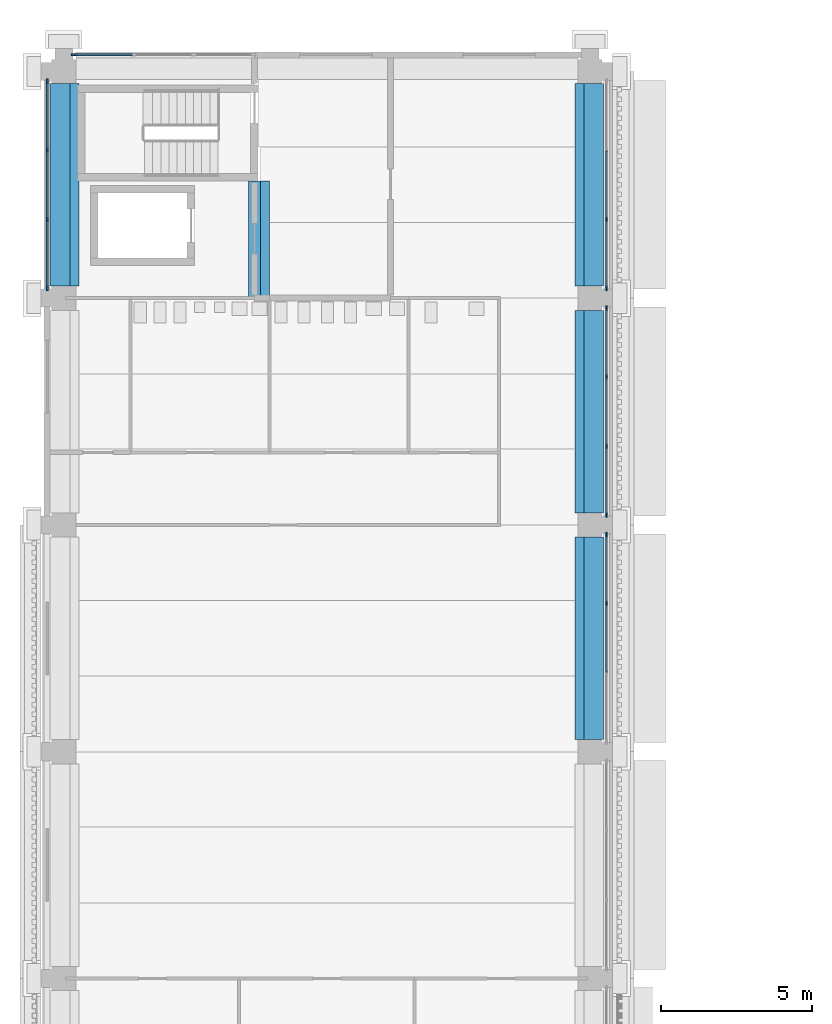
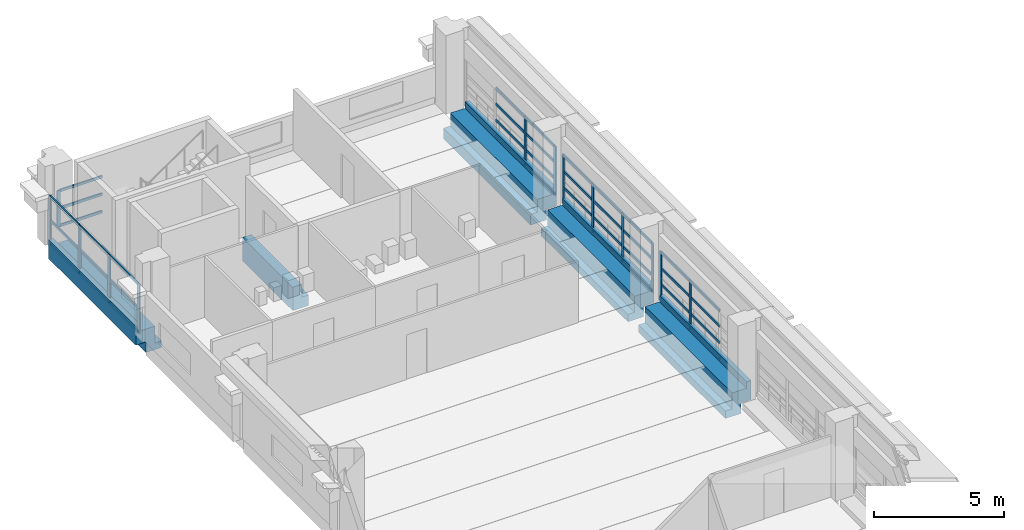
# One storey, part 12 of 71: 53 members, 5 beams, 5 elements without a shape of their own.
"""IFC4 building model written with IfcOpenShell, lengths in metres."""

import ifcopenshell
import ifcopenshell.guid

model = None  # the IFC model being written
_history = None  # IfcOwnerHistory: only IFC2X3 demands one
_inside = {}  # id of a spatial element -> (the spatial element, [elements in it])
_under = {}  # id of a project, library or spatial element -> (it, [spatial elements below it])
_declared = {}  # id of a project -> (the project, [libraries it declares])
_typed = {}  # id of a type object -> (the type object, [elements of that type])
_made_of = {}  # id of a material, layer set ... -> (it, [elements and type objects made of it])


def new_model(schema):
    """Start an empty IFC model of exactly this schema.

    Asked for "IFC4X3", IfcOpenShell would pick the latest addendum, in which some entities
    have other attributes; the version numbers below select the first issue.
    IFC2X3 requires an IfcOwnerHistory on every rooted entity: one is made here for all.
    """
    global model, _history
    if schema == "IFC4X3":
        model = ifcopenshell.file(schema_version=(4, 3, 0, 0))
    else:
        model = ifcopenshell.file(schema=schema)
    _inside.clear()
    _under.clear()
    _declared.clear()
    _typed.clear()
    _made_of.clear()
    _history = None
    if model.schema == "IFC2X3":
        org = make("IfcOrganization", Name="unknown")
        user = make(
            "IfcPersonAndOrganization",
            ThePerson=make("IfcPerson", FamilyName="unknown"),
            TheOrganization=org,
        )
        app = make(
            "IfcApplication",
            ApplicationDeveloper=org,
            Version="unknown",
            ApplicationFullName="unknown",
            ApplicationIdentifier="unknown",
        )
        _history = make(
            "IfcOwnerHistory",
            OwningUser=user,
            OwningApplication=app,
            ChangeAction="ADDED",
            CreationDate=0,
        )
    return model


def make(cls, **values):
    """One entity of the class cls with the attributes given. An attribute that is None is left unset."""
    return model.create_entity(
        cls, **{name: value for name, value in values.items() if value is not None}
    )


def rooted(cls, **values):
    """An entity with a GlobalId (a new one), such as an element, a storey or a relation."""
    return make(cls, GlobalId=ifcopenshell.guid.new(), OwnerHistory=_history, **values)


def si_unit(unit_type, name, prefix=None):
    """IfcSIUnit, for example si_unit("LENGTHUNIT", "METRE", prefix="MILLI")."""
    return make("IfcSIUnit", UnitType=unit_type, Prefix=prefix, Name=name)


def assignment(units):
    """IfcUnitAssignment: the units of a project."""
    return None if units is None else make("IfcUnitAssignment", Units=units)


def point(xyz):
    """IfcCartesianPoint."""
    return None if xyz is None else make("IfcCartesianPoint", Coordinates=xyz)


def direction(xyz):
    """IfcDirection."""
    return None if xyz is None else make("IfcDirection", DirectionRatios=xyz)


def frame(location, z_axis=None, x_axis=None):
    """IfcAxis2Placement3D, a coordinate frame: its origin and axes. An axis left out is left unset."""
    return make(
        "IfcAxis2Placement3D",
        Location=point(location),
        Axis=direction(z_axis),
        RefDirection=direction(x_axis),
    )


def frame_2d(location, x_axis=None):
    """IfcAxis2Placement2D, a coordinate frame in the plane: its origin and x axis."""
    return make(
        "IfcAxis2Placement2D", Location=point(location), RefDirection=direction(x_axis)
    )


def origin():
    """The frame at (0, 0, 0) with its axes left unset."""
    return frame((0.0, 0.0, 0.0))


def origin_2d():
    """The frame at (0, 0) in the plane with its x axis left unset."""
    return frame_2d((0.0, 0.0))


def place(relative_to, where):
    """IfcLocalPlacement: puts the frame where relative to a parent placement (None: the world)."""
    return make(
        "IfcLocalPlacement", PlacementRelTo=relative_to, RelativePlacement=where
    )


def context(
    kind, dimensions, precision=None, world=None, true_north=None, identifier=None
):
    """IfcGeometricRepresentationContext, for example the 3D "Model" context."""
    return make(
        "IfcGeometricRepresentationContext",
        ContextIdentifier=identifier,
        ContextType=kind,
        CoordinateSpaceDimension=dimensions,
        Precision=precision,
        WorldCoordinateSystem=world,
        TrueNorth=true_north,
    )


def subcontext(parent, identifier, kind, view, scale=None):
    """IfcGeometricRepresentationSubContext, for example "Body" below "Model"."""
    return make(
        "IfcGeometricRepresentationSubContext",
        ContextIdentifier=identifier,
        ContextType=kind,
        ParentContext=parent,
        TargetScale=scale,
        TargetView=view,
    )


def project(units=None, contexts=None):
    """IfcProject with its units and contexts."""
    return rooted(
        "IfcProject",
        Name="project",
        RepresentationContexts=contexts,
        UnitsInContext=assignment(units),
    )


def spatial(cls, under=None, at=None, **own):
    """A site, building, storey or space (cls), placed at a placement, below another one or the project."""
    s = rooted(cls, ObjectPlacement=at, **own)
    if under is not None:
        _under.setdefault(under.id(), (under, []))[1].append(s)
    return s


def polyline(points):
    """IfcPolyline through the points."""
    return make("IfcPolyline", Points=[point(p) for p in points])


def profile(cls, at=None, kind="AREA", **sizes):
    """A parametric profile (cls). Its sizes go by their IFC names, for example OverallWidth=200.0."""
    return make(cls, ProfileType=kind, Position=at, **sizes)


def rectangle(**sizes):
    """IfcRectangleProfileDef."""
    return profile("IfcRectangleProfileDef", **sizes)


def outline(outer, holes=None, kind="AREA"):
    """IfcArbitraryClosedProfileDef: a profile drawn as a closed curve; with holes, ...WithVoids."""
    if holes is None:
        return make("IfcArbitraryClosedProfileDef", ProfileType=kind, OuterCurve=outer)
    return make(
        "IfcArbitraryProfileDefWithVoids",
        ProfileType=kind,
        OuterCurve=outer,
        InnerCurves=holes,
    )


def extrude(swept, where, along, depth):
    """IfcExtrudedAreaSolid: the profile swept, set in the frame where, extruded along a direction by depth."""
    return make(
        "IfcExtrudedAreaSolid",
        SweptArea=swept,
        Position=where,
        ExtrudedDirection=direction(along),
        Depth=depth,
    )


def shape(context_of_items, identifier, shape_type, items):
    """IfcShapeRepresentation: the items that make up one representation, for example the "Body"."""
    return make(
        "IfcShapeRepresentation",
        ContextOfItems=context_of_items,
        RepresentationIdentifier=identifier,
        RepresentationType=shape_type,
        Items=items,
    )


def material(Name=None, Category=None):
    """IfcMaterial."""
    return make("IfcMaterial", Name=Name, Category=Category)


def layer(
    of_material, thickness, ventilated=None, Name=None, Category=None, Priority=None
):
    """IfcMaterialLayer: one layer of a wall or slab, of a material (None: an air gap)."""
    return make(
        "IfcMaterialLayer",
        Material=of_material,
        LayerThickness=thickness,
        IsVentilated=ventilated,
        Name=Name,
        Category=Category,
        Priority=Priority,
    )


def layer_set(layers, Name=None):
    """IfcMaterialLayerSet."""
    return make("IfcMaterialLayerSet", MaterialLayers=layers, LayerSetName=Name)


def material_profile(
    of_material, cross_section, Name=None, Category=None, Priority=None
):
    """IfcMaterialProfile: a cross section and its material."""
    return make(
        "IfcMaterialProfile",
        Name=Name,
        Material=of_material,
        Profile=cross_section,
        Priority=Priority,
        Category=Category,
    )


def profile_set(profiles, Name=None, composite=None):
    """IfcMaterialProfileSet."""
    return make(
        "IfcMaterialProfileSet",
        Name=Name,
        MaterialProfiles=profiles,
        CompositeProfile=composite,
    )


def made_of(thing, what):
    """Note that an element or type object is made of a material, layer set ...; save() writes the relation."""
    if what is not None:
        _made_of.setdefault(what.id(), (what, []))[1].append(thing)
    return thing


def type_object(cls, material=None, **own):
    """A type object (cls), such as IfcWallType, which elements share."""
    return made_of(rooted(cls, **own), material)


def element(
    cls,
    number,
    at=None,
    inside=None,
    cuts=None,
    type_object=None,
    material=None,
    context=None,
    identifier="Body",
    shape_type=None,
    held_by="IfcProductDefinitionShape",
    body=None,
    shapes=None,
    **own,
):
    """One element of the class cls, such as IfcWall. Its Tag is "e" and its number.

    at: its placement. inside: the storey or other place that contains it. cuts: it is an
    opening in that element (IfcRelVoidsElement). A single representation is given by context,
    identifier, shape_type and body (its items); several are given by shapes. held_by: the class
    of the entity that holds the representations. save() writes the other relations.
    """
    e = rooted(cls, Tag="e%d" % number, ObjectPlacement=at, **own)
    if body is not None:
        shapes = [shape(context, identifier, shape_type, body)]
    if shapes is not None:
        e.Representation = make(held_by, Representations=shapes)
    if inside is not None:
        _inside.setdefault(inside.id(), (inside, []))[1].append(e)
    if cuts is not None:
        rooted(
            "IfcRelVoidsElement", RelatingBuildingElement=cuts, RelatedOpeningElement=e
        )
    if type_object is not None:
        _typed.setdefault(type_object.id(), (type_object, []))[1].append(e)
    return made_of(e, material)


def aggregate(whole, parts):
    """IfcRelAggregates: a whole, such as a stair, and the parts it consists of."""
    return rooted("IfcRelAggregates", RelatingObject=whole, RelatedObjects=parts)


def save(model, path):
    """Write the relations noted so far, then the file.

    IfcRelAggregates (storeys below a building ...), IfcRelContainedInSpatialStructure (elements
    in a storey), IfcRelDefinesByType, IfcRelAssociatesMaterial and IfcRelDeclares: one each for
    every whole, place, type object, material and project.
    """
    for whole, parts in _under.values():
        aggregate(whole, parts)
    for where, things in _inside.values():
        rooted(
            "IfcRelContainedInSpatialStructure",
            RelatedElements=things,
            RelatingStructure=where,
        )
    for kind, things in _typed.values():
        rooted("IfcRelDefinesByType", RelatedObjects=things, RelatingType=kind)
    for what, things in _made_of.values():
        rooted("IfcRelAssociatesMaterial", RelatedObjects=things, RelatingMaterial=what)
    for by, libraries in _declared.values():
        rooted("IfcRelDeclares", RelatingContext=by, RelatedDefinitions=libraries)
    model.write(path)


model = new_model("IFC4")

# Units and contexts
model_context = context("Model", 3, precision=1e-05, world=origin(), true_north=direction((0.0, 1.0)))
body_context = subcontext(model_context, "Body", "Model", "MODEL_VIEW")
ifc_project = project(units=[si_unit("LENGTHUNIT", "METRE"), si_unit("AREAUNIT", "SQUARE_METRE"), si_unit("VOLUMEUNIT", "CUBIC_METRE"), si_unit("PLANEANGLEUNIT", "RADIAN"), si_unit("MASSUNIT", "GRAM", prefix="KILO")], contexts=[model_context])

# Site, building, storey
site_placement = place(None, origin())
site = spatial("IfcSite", under=ifc_project, at=site_placement, CompositionType="ELEMENT")
building_placement = place(site_placement, origin())
building = spatial("IfcBuilding", under=site, at=building_placement, Name="Cour d'Honneur Mobility Palace", CompositionType="ELEMENT")
storey_placement = place(building_placement, frame((0.0, 0.0, 15.60009765625)))
storey = spatial("IfcBuildingStorey", under=building, at=storey_placement, Name="L04", CompositionType="ELEMENT", Elevation=15.60009765625)

# Curtain wall, members
ifc_material_1 = material(Name="Aluminium and glass", Category="aluminium")
ifc_layer = layer(ifc_material_1, 0.10009765625)
ifc_layer_set = layer_set([ifc_layer], Name="Aluminium and glass")
curtain_wall_type = type_object("IfcCurtainWallType", Name="Curtain wall run", PredefinedType="NOTDEFINED", material=ifc_layer_set)
curtain_wall_1_placement = place(storey_placement, origin())
curtain_wall_1 = element("IfcCurtainWall", 1, at=curtain_wall_1_placement, inside=storey, type_object=curtain_wall_type, Name="Curtain wall CW-41", PredefinedType="NOTDEFINED")
ifc_material_2 = material(Name="Aluminium", Category="aluminium")
ifc_material_profile_1 = material_profile(ifc_material_2, rectangle(XDim=0.06005859375, YDim=0.159912109375, at=origin_2d()), Name="Curtain wall mullion")
ifc_profile_set_1 = profile_set([ifc_material_profile_1], Name="Aluminium")
member_type_1 = type_object("IfcMemberType", Name="Curtain wall mullion", PredefinedType="MULLION", material=ifc_profile_set_1)
member_1_placement = place(storey_placement, frame((17.949951171875, 97.300048828125, 0.0), z_axis=(0.0, 0.0, 1.0), x_axis=(-1.0, 0.0, 0.0)))
member_1 = element("IfcMember", 2, at=member_1_placement, type_object=member_type_1, Name="CW-41 mullion 3", PredefinedType="MULLION", context=body_context, shape_type="SweptSolid", body=[
    extrude(rectangle(XDim=0.06005859375, YDim=0.159912109375, at=origin_2d()), origin(), (0.0, 0.0, 1.0), 2.2998046875),
])
member_2_placement = place(storey_placement, frame((17.949951171875, 99.570068359375, 0.0), z_axis=(0.0, 0.0, 1.0), x_axis=(-1.0, 0.0, 0.0)))
member_2 = element("IfcMember", 3, at=member_2_placement, type_object=member_type_1, Name="CW-41 mullion 4", PredefinedType="MULLION", context=body_context, shape_type="SweptSolid", body=[
    extrude(rectangle(XDim=0.06005859375, YDim=0.159912109375, at=origin_2d()), origin(), (0.0, 0.0, 1.0), 2.2998046875),
])

curtain_wall_2_placement = place(storey_placement, origin())
curtain_wall_2 = element("IfcCurtainWall", 4, at=curtain_wall_2_placement, inside=storey, type_object=curtain_wall_type, Name="Curtain wall CW-42", PredefinedType="NOTDEFINED")
member_3_placement = place(storey_placement, frame((17.949951171875, 100.22998046875, 0.0), z_axis=(0.0, 0.0, 1.0), x_axis=(-1.0, 0.0, 0.0)))
member_3 = element("IfcMember", 5, at=member_3_placement, type_object=member_type_1, Name="CW-42 mullion 1", PredefinedType="MULLION", context=body_context, shape_type="SweptSolid", body=[
    extrude(rectangle(XDim=0.06005859375, YDim=0.159912109375, at=origin_2d()), origin(), (0.0, 0.0, 1.0), 2.2998046875),
])
member_4_placement = place(storey_placement, frame((17.949951171875, 102.5, 0.0), z_axis=(0.0, 0.0, 1.0), x_axis=(-1.0, 0.0, 0.0)))
member_4 = element("IfcMember", 6, at=member_4_placement, type_object=member_type_1, Name="CW-42 mullion 2", PredefinedType="MULLION", context=body_context, shape_type="SweptSolid", body=[
    extrude(rectangle(XDim=0.06005859375, YDim=0.159912109375, at=origin_2d()), origin(), (0.0, 0.0, 1.0), 2.2998046875),
])
member_5_placement = place(storey_placement, frame((17.949951171875, 104.800048828125, 0.0), z_axis=(0.0, 0.0, 1.0), x_axis=(-1.0, 0.0, 0.0)))
member_5 = element("IfcMember", 7, at=member_5_placement, type_object=member_type_1, Name="CW-42 mullion 3", PredefinedType="MULLION", context=body_context, shape_type="SweptSolid", body=[
    extrude(rectangle(XDim=0.06005859375, YDim=0.159912109375, at=origin_2d()), origin(), (0.0, 0.0, 1.0), 2.2998046875),
])
member_6_placement = place(storey_placement, frame((17.949951171875, 107.070068359375, 0.0), z_axis=(0.0, 0.0, 1.0), x_axis=(-1.0, 0.0, 0.0)))
member_6 = element("IfcMember", 8, at=member_6_placement, type_object=member_type_1, Name="CW-42 mullion 4", PredefinedType="MULLION", context=body_context, shape_type="SweptSolid", body=[
    extrude(rectangle(XDim=0.06005859375, YDim=0.159912109375, at=origin_2d()), origin(), (0.0, 0.0, 1.0), 2.2998046875),
])

curtain_wall_3_placement = place(storey_placement, origin())
curtain_wall_3 = element("IfcCurtainWall", 9, at=curtain_wall_3_placement, inside=storey, type_object=curtain_wall_type, Name="Curtain wall CW-43", PredefinedType="NOTDEFINED")
member_7_placement = place(storey_placement, frame((17.949951171875, 107.72998046875, 0.0), z_axis=(0.0, 0.0, 1.0), x_axis=(-1.0, 0.0, 0.0)))
member_7 = element("IfcMember", 10, at=member_7_placement, type_object=member_type_1, Name="CW-43 mullion 1", PredefinedType="MULLION", context=body_context, shape_type="SweptSolid", body=[
    extrude(rectangle(XDim=0.06005859375, YDim=0.159912109375, at=origin_2d()), origin(), (0.0, 0.0, 1.0), 2.2998046875),
])
member_8_placement = place(storey_placement, frame((17.949951171875, 110.0, 0.0), z_axis=(0.0, 0.0, 1.0), x_axis=(-1.0, 0.0, 0.0)))
member_8 = element("IfcMember", 11, at=member_8_placement, type_object=member_type_1, Name="CW-43 mullion 2", PredefinedType="MULLION", context=body_context, shape_type="SweptSolid", body=[
    extrude(rectangle(XDim=0.06005859375, YDim=0.159912109375, at=origin_2d()), origin(), (0.0, 0.0, 1.0), 2.2998046875),
])

# Curtain wall, member
curtain_wall_4_placement = place(storey_placement, origin())
curtain_wall_4 = element("IfcCurtainWall", 12, at=curtain_wall_4_placement, inside=storey, type_object=curtain_wall_type, Name="Curtain wall CW-130", PredefinedType="NOTDEFINED")
member_9_placement = place(storey_placement, frame((0.330078125, 115.449951171875, 0.0), z_axis=(0.0, 0.0, 1.0), x_axis=(0.0, -1.0, 0.0)))
member_9 = element("IfcMember", 13, at=member_9_placement, type_object=member_type_1, Name="CW-130 mullion 4", PredefinedType="MULLION", context=body_context, shape_type="SweptSolid", body=[
    extrude(rectangle(XDim=0.06005859375, YDim=0.159912109375, at=origin_2d()), origin(), (0.0, 0.0, 1.0), 1.699951171875),
])

# Curtain wall, members
curtain_wall_5_placement = place(storey_placement, origin())
curtain_wall_5 = element("IfcCurtainWall", 14, at=curtain_wall_5_placement, inside=storey, type_object=curtain_wall_type, Name="Curtain wall CW-131", PredefinedType="NOTDEFINED")
member_10_placement = place(storey_placement, frame((-0.550048828125, 114.570068359375, 0.0), z_axis=(0.0, 0.0, 1.0), x_axis=(1.0, 0.0, 0.0)))
member_10 = element("IfcMember", 15, at=member_10_placement, type_object=member_type_1, Name="CW-131 mullion 1", PredefinedType="MULLION", context=body_context, shape_type="SweptSolid", body=[
    extrude(rectangle(XDim=0.06005859375, YDim=0.159912109375, at=origin_2d()), origin(), (0.0, 0.0, 1.0), 2.2998046875),
])
member_11_placement = place(storey_placement, frame((-0.550048828125, 112.300048828125, 0.0), z_axis=(0.0, 0.0, 1.0), x_axis=(1.0, 0.0, 0.0)))
member_11 = element("IfcMember", 16, at=member_11_placement, type_object=member_type_1, Name="CW-131 mullion 2", PredefinedType="MULLION", context=body_context, shape_type="SweptSolid", body=[
    extrude(rectangle(XDim=0.06005859375, YDim=0.159912109375, at=origin_2d()), origin(), (0.0, 0.0, 1.0), 2.2998046875),
])
member_12_placement = place(storey_placement, frame((-0.550048828125, 110.0, 0.0), z_axis=(0.0, 0.0, 1.0), x_axis=(1.0, 0.0, 0.0)))
member_12 = element("IfcMember", 17, at=member_12_placement, type_object=member_type_1, Name="CW-131 mullion 3", PredefinedType="MULLION", context=body_context, shape_type="SweptSolid", body=[
    extrude(rectangle(XDim=0.06005859375, YDim=0.159912109375, at=origin_2d()), origin(), (0.0, 0.0, 1.0), 2.2998046875),
])
member_13_placement = place(storey_placement, frame((-0.550048828125, 107.72998046875, 0.0), z_axis=(0.0, 0.0, 1.0), x_axis=(1.0, 0.0, 0.0)))
member_13 = element("IfcMember", 18, at=member_13_placement, type_object=member_type_1, Name="CW-131 mullion 4", PredefinedType="MULLION", context=body_context, shape_type="SweptSolid", body=[
    extrude(rectangle(XDim=0.06005859375, YDim=0.159912109375, at=origin_2d()), origin(), (0.0, 0.0, 1.0), 2.2998046875),
])

# Member
ifc_material_3 = material(Name="Aluminium", Category="aluminium")
ifc_material_profile_2 = material_profile(ifc_material_3, rectangle(XDim=0.06005859375, YDim=0.1201171875, at=origin_2d()), Name="Curtain wall transom")
ifc_profile_set_2 = profile_set([ifc_material_profile_2], Name="Aluminium")
member_type_2 = type_object("IfcMemberType", Name="Curtain wall transom", PredefinedType="USERDEFINED", material=ifc_profile_set_2)
member_14_placement = place(storey_placement, frame((17.949951171875, 95.030029296875, 0.02978515625), z_axis=(0.0, 1.0, 0.0), x_axis=(-1.0, 0.0, 0.0)))
member_14 = element("IfcMember", 19, at=member_14_placement, type_object=member_type_2, Name="CW-41 transom 2.1", ObjectType="TRANSOM", PredefinedType="USERDEFINED", context=body_context, shape_type="SweptSolid", body=[
    extrude(rectangle(XDim=0.06005859375, YDim=0.1201171875, at=origin_2d()), origin(), (0.0, 0.0, 1.0), 2.239990234375),
])

member_15_placement = place(storey_placement, frame((17.949951171875, 95.030029296875, 0.7666015625), z_axis=(0.0, 1.0, 0.0), x_axis=(-1.0, 0.0, 0.0)))
member_15 = element("IfcMember", 20, at=member_15_placement, type_object=member_type_2, Name="CW-41 transom 2.2", ObjectType="TRANSOM", PredefinedType="USERDEFINED", context=body_context, shape_type="SweptSolid", body=[
    extrude(rectangle(XDim=0.06005859375, YDim=0.1201171875, at=origin_2d()), origin(), (0.0, 0.0, 1.0), 2.239990234375),
])

member_16_placement = place(storey_placement, frame((17.949951171875, 95.030029296875, 1.533203125), z_axis=(0.0, 1.0, 0.0), x_axis=(-1.0, 0.0, 0.0)))
member_16 = element("IfcMember", 21, at=member_16_placement, type_object=member_type_2, Name="CW-41 transom 2.3", ObjectType="TRANSOM", PredefinedType="USERDEFINED", context=body_context, shape_type="SweptSolid", body=[
    extrude(rectangle(XDim=0.06005859375, YDim=0.1201171875, at=origin_2d()), origin(), (0.0, 0.0, 1.0), 2.239990234375),
])

member_17_placement = place(storey_placement, frame((17.949951171875, 95.030029296875, 2.27001953125), z_axis=(0.0, 1.0, 0.0), x_axis=(-1.0, 0.0, 0.0)))
member_17 = element("IfcMember", 22, at=member_17_placement, type_object=member_type_2, Name="CW-41 transom 2.4", ObjectType="TRANSOM", PredefinedType="USERDEFINED", context=body_context, shape_type="SweptSolid", body=[
    extrude(rectangle(XDim=0.06005859375, YDim=0.1201171875, at=origin_2d()), origin(), (0.0, 0.0, 1.0), 2.239990234375),
])

member_18_placement = place(storey_placement, frame((17.949951171875, 97.330078125, 0.02978515625), z_axis=(0.0, 1.0, 0.0), x_axis=(-1.0, 0.0, 0.0)))
member_18 = element("IfcMember", 23, at=member_18_placement, type_object=member_type_2, Name="CW-41 transom 3.1", ObjectType="TRANSOM", PredefinedType="USERDEFINED", context=body_context, shape_type="SweptSolid", body=[
    extrude(rectangle(XDim=0.06005859375, YDim=0.1201171875, at=origin_2d()), origin(), (0.0, 0.0, 1.0), 2.2099609375),
])

member_19_placement = place(storey_placement, frame((17.949951171875, 97.330078125, 0.7666015625), z_axis=(0.0, 1.0, 0.0), x_axis=(-1.0, 0.0, 0.0)))
member_19 = element("IfcMember", 24, at=member_19_placement, type_object=member_type_2, Name="CW-41 transom 3.2", ObjectType="TRANSOM", PredefinedType="USERDEFINED", context=body_context, shape_type="SweptSolid", body=[
    extrude(rectangle(XDim=0.06005859375, YDim=0.1201171875, at=origin_2d()), origin(), (0.0, 0.0, 1.0), 2.2099609375),
])

member_20_placement = place(storey_placement, frame((17.949951171875, 97.330078125, 1.533203125), z_axis=(0.0, 1.0, 0.0), x_axis=(-1.0, 0.0, 0.0)))
member_20 = element("IfcMember", 25, at=member_20_placement, type_object=member_type_2, Name="CW-41 transom 3.3", ObjectType="TRANSOM", PredefinedType="USERDEFINED", context=body_context, shape_type="SweptSolid", body=[
    extrude(rectangle(XDim=0.06005859375, YDim=0.1201171875, at=origin_2d()), origin(), (0.0, 0.0, 1.0), 2.2099609375),
])

member_21_placement = place(storey_placement, frame((17.949951171875, 97.330078125, 2.27001953125), z_axis=(0.0, 1.0, 0.0), x_axis=(-1.0, 0.0, 0.0)))
member_21 = element("IfcMember", 26, at=member_21_placement, type_object=member_type_2, Name="CW-41 transom 3.4", ObjectType="TRANSOM", PredefinedType="USERDEFINED", context=body_context, shape_type="SweptSolid", body=[
    extrude(rectangle(XDim=0.06005859375, YDim=0.1201171875, at=origin_2d()), origin(), (0.0, 0.0, 1.0), 2.2099609375),
])

aggregate(curtain_wall_1, [member_1, member_2, member_14, member_15, member_16, member_17, member_18, member_19, member_20, member_21])

member_22_placement = place(storey_placement, frame((17.949951171875, 100.260009765625, 0.02978515625), z_axis=(0.0, 1.0, 0.0), x_axis=(-1.0, 0.0, 0.0)))
member_22 = element("IfcMember", 27, at=member_22_placement, type_object=member_type_2, Name="CW-42 transom 1.1", ObjectType="TRANSOM", PredefinedType="USERDEFINED", context=body_context, shape_type="SweptSolid", body=[
    extrude(rectangle(XDim=0.06005859375, YDim=0.1201171875, at=origin_2d()), origin(), (0.0, 0.0, 1.0), 2.2099609375),
])

member_23_placement = place(storey_placement, frame((17.949951171875, 100.260009765625, 0.7666015625), z_axis=(0.0, 1.0, 0.0), x_axis=(-1.0, 0.0, 0.0)))
member_23 = element("IfcMember", 28, at=member_23_placement, type_object=member_type_2, Name="CW-42 transom 1.2", ObjectType="TRANSOM", PredefinedType="USERDEFINED", context=body_context, shape_type="SweptSolid", body=[
    extrude(rectangle(XDim=0.06005859375, YDim=0.1201171875, at=origin_2d()), origin(), (0.0, 0.0, 1.0), 2.2099609375),
])

member_24_placement = place(storey_placement, frame((17.949951171875, 100.260009765625, 1.533203125), z_axis=(0.0, 1.0, 0.0), x_axis=(-1.0, 0.0, 0.0)))
member_24 = element("IfcMember", 29, at=member_24_placement, type_object=member_type_2, Name="CW-42 transom 1.3", ObjectType="TRANSOM", PredefinedType="USERDEFINED", context=body_context, shape_type="SweptSolid", body=[
    extrude(rectangle(XDim=0.06005859375, YDim=0.1201171875, at=origin_2d()), origin(), (0.0, 0.0, 1.0), 2.2099609375),
])

member_25_placement = place(storey_placement, frame((17.949951171875, 100.260009765625, 2.27001953125), z_axis=(0.0, 1.0, 0.0), x_axis=(-1.0, 0.0, 0.0)))
member_25 = element("IfcMember", 30, at=member_25_placement, type_object=member_type_2, Name="CW-42 transom 1.4", ObjectType="TRANSOM", PredefinedType="USERDEFINED", context=body_context, shape_type="SweptSolid", body=[
    extrude(rectangle(XDim=0.06005859375, YDim=0.1201171875, at=origin_2d()), origin(), (0.0, 0.0, 1.0), 2.2099609375),
])

member_26_placement = place(storey_placement, frame((17.949951171875, 102.530029296875, 0.02978515625), z_axis=(0.0, 1.0, 0.0), x_axis=(-1.0, 0.0, 0.0)))
member_26 = element("IfcMember", 31, at=member_26_placement, type_object=member_type_2, Name="CW-42 transom 2.1", ObjectType="TRANSOM", PredefinedType="USERDEFINED", context=body_context, shape_type="SweptSolid", body=[
    extrude(rectangle(XDim=0.06005859375, YDim=0.1201171875, at=origin_2d()), origin(), (0.0, 0.0, 1.0), 2.239990234375),
])

member_27_placement = place(storey_placement, frame((17.949951171875, 102.530029296875, 0.7666015625), z_axis=(0.0, 1.0, 0.0), x_axis=(-1.0, 0.0, 0.0)))
member_27 = element("IfcMember", 32, at=member_27_placement, type_object=member_type_2, Name="CW-42 transom 2.2", ObjectType="TRANSOM", PredefinedType="USERDEFINED", context=body_context, shape_type="SweptSolid", body=[
    extrude(rectangle(XDim=0.06005859375, YDim=0.1201171875, at=origin_2d()), origin(), (0.0, 0.0, 1.0), 2.239990234375),
])

member_28_placement = place(storey_placement, frame((17.949951171875, 102.530029296875, 1.533203125), z_axis=(0.0, 1.0, 0.0), x_axis=(-1.0, 0.0, 0.0)))
member_28 = element("IfcMember", 33, at=member_28_placement, type_object=member_type_2, Name="CW-42 transom 2.3", ObjectType="TRANSOM", PredefinedType="USERDEFINED", context=body_context, shape_type="SweptSolid", body=[
    extrude(rectangle(XDim=0.06005859375, YDim=0.1201171875, at=origin_2d()), origin(), (0.0, 0.0, 1.0), 2.239990234375),
])

member_29_placement = place(storey_placement, frame((17.949951171875, 102.530029296875, 2.27001953125), z_axis=(0.0, 1.0, 0.0), x_axis=(-1.0, 0.0, 0.0)))
member_29 = element("IfcMember", 34, at=member_29_placement, type_object=member_type_2, Name="CW-42 transom 2.4", ObjectType="TRANSOM", PredefinedType="USERDEFINED", context=body_context, shape_type="SweptSolid", body=[
    extrude(rectangle(XDim=0.06005859375, YDim=0.1201171875, at=origin_2d()), origin(), (0.0, 0.0, 1.0), 2.239990234375),
])

member_30_placement = place(storey_placement, frame((17.949951171875, 104.830078125, 0.02978515625), z_axis=(0.0, 1.0, 0.0), x_axis=(-1.0, 0.0, 0.0)))
member_30 = element("IfcMember", 35, at=member_30_placement, type_object=member_type_2, Name="CW-42 transom 3.1", ObjectType="TRANSOM", PredefinedType="USERDEFINED", context=body_context, shape_type="SweptSolid", body=[
    extrude(rectangle(XDim=0.06005859375, YDim=0.1201171875, at=origin_2d()), origin(), (0.0, 0.0, 1.0), 2.2099609375),
])

member_31_placement = place(storey_placement, frame((17.949951171875, 104.830078125, 0.7666015625), z_axis=(0.0, 1.0, 0.0), x_axis=(-1.0, 0.0, 0.0)))
member_31 = element("IfcMember", 36, at=member_31_placement, type_object=member_type_2, Name="CW-42 transom 3.2", ObjectType="TRANSOM", PredefinedType="USERDEFINED", context=body_context, shape_type="SweptSolid", body=[
    extrude(rectangle(XDim=0.06005859375, YDim=0.1201171875, at=origin_2d()), origin(), (0.0, 0.0, 1.0), 2.2099609375),
])

member_32_placement = place(storey_placement, frame((17.949951171875, 104.830078125, 1.533203125), z_axis=(0.0, 1.0, 0.0), x_axis=(-1.0, 0.0, 0.0)))
member_32 = element("IfcMember", 37, at=member_32_placement, type_object=member_type_2, Name="CW-42 transom 3.3", ObjectType="TRANSOM", PredefinedType="USERDEFINED", context=body_context, shape_type="SweptSolid", body=[
    extrude(rectangle(XDim=0.06005859375, YDim=0.1201171875, at=origin_2d()), origin(), (0.0, 0.0, 1.0), 2.2099609375),
])

member_33_placement = place(storey_placement, frame((17.949951171875, 104.830078125, 2.27001953125), z_axis=(0.0, 1.0, 0.0), x_axis=(-1.0, 0.0, 0.0)))
member_33 = element("IfcMember", 38, at=member_33_placement, type_object=member_type_2, Name="CW-42 transom 3.4", ObjectType="TRANSOM", PredefinedType="USERDEFINED", context=body_context, shape_type="SweptSolid", body=[
    extrude(rectangle(XDim=0.06005859375, YDim=0.1201171875, at=origin_2d()), origin(), (0.0, 0.0, 1.0), 2.2099609375),
])

aggregate(curtain_wall_2, [member_3, member_4, member_5, member_6, member_22, member_23, member_24, member_25, member_26, member_27, member_28, member_29, member_30, member_31, member_32, member_33])

member_34_placement = place(storey_placement, frame((17.949951171875, 107.760009765625, 0.02978515625), z_axis=(0.0, 1.0, 0.0), x_axis=(-1.0, 0.0, 0.0)))
member_34 = element("IfcMember", 39, at=member_34_placement, type_object=member_type_2, Name="CW-43 transom 1.1", ObjectType="TRANSOM", PredefinedType="USERDEFINED", context=body_context, shape_type="SweptSolid", body=[
    extrude(rectangle(XDim=0.06005859375, YDim=0.1201171875, at=origin_2d()), origin(), (0.0, 0.0, 1.0), 2.2099609375),
])

member_35_placement = place(storey_placement, frame((17.949951171875, 107.760009765625, 0.7666015625), z_axis=(0.0, 1.0, 0.0), x_axis=(-1.0, 0.0, 0.0)))
member_35 = element("IfcMember", 40, at=member_35_placement, type_object=member_type_2, Name="CW-43 transom 1.2", ObjectType="TRANSOM", PredefinedType="USERDEFINED", context=body_context, shape_type="SweptSolid", body=[
    extrude(rectangle(XDim=0.06005859375, YDim=0.1201171875, at=origin_2d()), origin(), (0.0, 0.0, 1.0), 2.2099609375),
])

member_36_placement = place(storey_placement, frame((17.949951171875, 107.760009765625, 1.533203125), z_axis=(0.0, 1.0, 0.0), x_axis=(-1.0, 0.0, 0.0)))
member_36 = element("IfcMember", 41, at=member_36_placement, type_object=member_type_2, Name="CW-43 transom 1.3", ObjectType="TRANSOM", PredefinedType="USERDEFINED", context=body_context, shape_type="SweptSolid", body=[
    extrude(rectangle(XDim=0.06005859375, YDim=0.1201171875, at=origin_2d()), origin(), (0.0, 0.0, 1.0), 2.2099609375),
])

member_37_placement = place(storey_placement, frame((17.949951171875, 107.760009765625, 2.27001953125), z_axis=(0.0, 1.0, 0.0), x_axis=(-1.0, 0.0, 0.0)))
member_37 = element("IfcMember", 42, at=member_37_placement, type_object=member_type_2, Name="CW-43 transom 1.4", ObjectType="TRANSOM", PredefinedType="USERDEFINED", context=body_context, shape_type="SweptSolid", body=[
    extrude(rectangle(XDim=0.06005859375, YDim=0.1201171875, at=origin_2d()), origin(), (0.0, 0.0, 1.0), 2.2099609375),
])

member_38_placement = place(storey_placement, frame((17.949951171875, 110.030029296875, 0.02978515625), z_axis=(0.0, 1.0, 0.0), x_axis=(-1.0, 0.0, 0.0)))
member_38 = element("IfcMember", 43, at=member_38_placement, type_object=member_type_2, Name="CW-43 transom 2.1", ObjectType="TRANSOM", PredefinedType="USERDEFINED", context=body_context, shape_type="SweptSolid", body=[
    extrude(rectangle(XDim=0.06005859375, YDim=0.1201171875, at=origin_2d()), origin(), (0.0, 0.0, 1.0), 2.239990234375),
])

member_39_placement = place(storey_placement, frame((17.949951171875, 110.030029296875, 0.7666015625), z_axis=(0.0, 1.0, 0.0), x_axis=(-1.0, 0.0, 0.0)))
member_39 = element("IfcMember", 44, at=member_39_placement, type_object=member_type_2, Name="CW-43 transom 2.2", ObjectType="TRANSOM", PredefinedType="USERDEFINED", context=body_context, shape_type="SweptSolid", body=[
    extrude(rectangle(XDim=0.06005859375, YDim=0.1201171875, at=origin_2d()), origin(), (0.0, 0.0, 1.0), 2.239990234375),
])

member_40_placement = place(storey_placement, frame((17.949951171875, 110.030029296875, 1.533203125), z_axis=(0.0, 1.0, 0.0), x_axis=(-1.0, 0.0, 0.0)))
member_40 = element("IfcMember", 45, at=member_40_placement, type_object=member_type_2, Name="CW-43 transom 2.3", ObjectType="TRANSOM", PredefinedType="USERDEFINED", context=body_context, shape_type="SweptSolid", body=[
    extrude(rectangle(XDim=0.06005859375, YDim=0.1201171875, at=origin_2d()), origin(), (0.0, 0.0, 1.0), 2.239990234375),
])

member_41_placement = place(storey_placement, frame((17.949951171875, 110.030029296875, 2.27001953125), z_axis=(0.0, 1.0, 0.0), x_axis=(-1.0, 0.0, 0.0)))
member_41 = element("IfcMember", 46, at=member_41_placement, type_object=member_type_2, Name="CW-43 transom 2.4", ObjectType="TRANSOM", PredefinedType="USERDEFINED", context=body_context, shape_type="SweptSolid", body=[
    extrude(rectangle(XDim=0.06005859375, YDim=0.1201171875, at=origin_2d()), origin(), (0.0, 0.0, 1.0), 2.239990234375),
])

aggregate(curtain_wall_3, [member_7, member_8, member_34, member_35, member_36, member_37, member_38, member_39, member_40, member_41])

member_42_placement = place(storey_placement, frame((2.27001953125, 115.449951171875, 0.02978515625), z_axis=(-1.0, 0.0, 0.0), x_axis=(0.0, -1.0, 0.0)))
member_42 = element("IfcMember", 47, at=member_42_placement, type_object=member_type_2, Name="CW-130 transom 3.1", ObjectType="TRANSOM", PredefinedType="USERDEFINED", context=body_context, shape_type="SweptSolid", body=[
    extrude(rectangle(XDim=0.06005859375, YDim=0.1201171875, at=origin_2d()), origin(), (0.0, 0.0, 1.0), 1.909912109375),
])

member_43_placement = place(storey_placement, frame((2.27001953125, 115.449951171875, 0.849853515625), z_axis=(-1.0, 0.0, 0.0), x_axis=(0.0, -1.0, 0.0)))
member_43 = element("IfcMember", 48, at=member_43_placement, type_object=member_type_2, Name="CW-130 transom 3.2", ObjectType="TRANSOM", PredefinedType="USERDEFINED", context=body_context, shape_type="SweptSolid", body=[
    extrude(rectangle(XDim=0.06005859375, YDim=0.1201171875, at=origin_2d()), origin(), (0.0, 0.0, 1.0), 1.909912109375),
])

member_44_placement = place(storey_placement, frame((2.27001953125, 115.449951171875, 1.669921875), z_axis=(-1.0, 0.0, 0.0), x_axis=(0.0, -1.0, 0.0)))
member_44 = element("IfcMember", 49, at=member_44_placement, type_object=member_type_2, Name="CW-130 transom 3.3", ObjectType="TRANSOM", PredefinedType="USERDEFINED", context=body_context, shape_type="SweptSolid", body=[
    extrude(rectangle(XDim=0.06005859375, YDim=0.1201171875, at=origin_2d()), origin(), (0.0, 0.0, 1.0), 1.909912109375),
])

aggregate(curtain_wall_4, [member_9, member_42, member_43, member_44])

member_45_placement = place(storey_placement, frame((-0.550048828125, 114.5400390625, 0.02978515625), z_axis=(0.0, -1.0, 0.0), x_axis=(1.0, 0.0, 0.0)))
member_45 = element("IfcMember", 50, at=member_45_placement, type_object=member_type_2, Name="CW-131 transom 1.1", ObjectType="TRANSOM", PredefinedType="USERDEFINED", context=body_context, shape_type="SweptSolid", body=[
    extrude(rectangle(XDim=0.06005859375, YDim=0.1201171875, at=origin_2d()), origin(), (0.0, 0.0, 1.0), 2.2099609375),
])

member_46_placement = place(storey_placement, frame((-0.550048828125, 114.5400390625, 1.14990234375), z_axis=(0.0, -1.0, 0.0), x_axis=(1.0, 0.0, 0.0)))
member_46 = element("IfcMember", 51, at=member_46_placement, type_object=member_type_2, Name="CW-131 transom 1.2", ObjectType="TRANSOM", PredefinedType="USERDEFINED", context=body_context, shape_type="SweptSolid", body=[
    extrude(rectangle(XDim=0.06005859375, YDim=0.1201171875, at=origin_2d()), origin(), (0.0, 0.0, 1.0), 2.2099609375),
])

member_47_placement = place(storey_placement, frame((-0.550048828125, 114.5400390625, 2.27001953125), z_axis=(0.0, -1.0, 0.0), x_axis=(1.0, 0.0, 0.0)))
member_47 = element("IfcMember", 52, at=member_47_placement, type_object=member_type_2, Name="CW-131 transom 1.3", ObjectType="TRANSOM", PredefinedType="USERDEFINED", context=body_context, shape_type="SweptSolid", body=[
    extrude(rectangle(XDim=0.06005859375, YDim=0.1201171875, at=origin_2d()), origin(), (0.0, 0.0, 1.0), 2.2099609375),
])

member_48_placement = place(storey_placement, frame((-0.550048828125, 112.27001953125, 0.02978515625), z_axis=(0.0, -1.0, 0.0), x_axis=(1.0, 0.0, 0.0)))
member_48 = element("IfcMember", 53, at=member_48_placement, type_object=member_type_2, Name="CW-131 transom 2.1", ObjectType="TRANSOM", PredefinedType="USERDEFINED", context=body_context, shape_type="SweptSolid", body=[
    extrude(rectangle(XDim=0.06005859375, YDim=0.1201171875, at=origin_2d()), origin(), (0.0, 0.0, 1.0), 2.239990234375),
])

member_49_placement = place(storey_placement, frame((-0.550048828125, 112.27001953125, 1.14990234375), z_axis=(0.0, -1.0, 0.0), x_axis=(1.0, 0.0, 0.0)))
member_49 = element("IfcMember", 54, at=member_49_placement, type_object=member_type_2, Name="CW-131 transom 2.2", ObjectType="TRANSOM", PredefinedType="USERDEFINED", context=body_context, shape_type="SweptSolid", body=[
    extrude(rectangle(XDim=0.06005859375, YDim=0.1201171875, at=origin_2d()), origin(), (0.0, 0.0, 1.0), 2.239990234375),
])

member_50_placement = place(storey_placement, frame((-0.550048828125, 112.27001953125, 2.27001953125), z_axis=(0.0, -1.0, 0.0), x_axis=(1.0, 0.0, 0.0)))
member_50 = element("IfcMember", 55, at=member_50_placement, type_object=member_type_2, Name="CW-131 transom 2.3", ObjectType="TRANSOM", PredefinedType="USERDEFINED", context=body_context, shape_type="SweptSolid", body=[
    extrude(rectangle(XDim=0.06005859375, YDim=0.1201171875, at=origin_2d()), origin(), (0.0, 0.0, 1.0), 2.239990234375),
])

member_51_placement = place(storey_placement, frame((-0.550048828125, 109.969970703125, 0.02978515625), z_axis=(0.0, -1.0, 0.0), x_axis=(1.0, 0.0, 0.0)))
member_51 = element("IfcMember", 56, at=member_51_placement, type_object=member_type_2, Name="CW-131 transom 3.1", ObjectType="TRANSOM", PredefinedType="USERDEFINED", context=body_context, shape_type="SweptSolid", body=[
    extrude(rectangle(XDim=0.06005859375, YDim=0.1201171875, at=origin_2d()), origin(), (0.0, 0.0, 1.0), 2.2099609375),
])

member_52_placement = place(storey_placement, frame((-0.550048828125, 109.969970703125, 1.14990234375), z_axis=(0.0, -1.0, 0.0), x_axis=(1.0, 0.0, 0.0)))
member_52 = element("IfcMember", 57, at=member_52_placement, type_object=member_type_2, Name="CW-131 transom 3.2", ObjectType="TRANSOM", PredefinedType="USERDEFINED", context=body_context, shape_type="SweptSolid", body=[
    extrude(rectangle(XDim=0.06005859375, YDim=0.1201171875, at=origin_2d()), origin(), (0.0, 0.0, 1.0), 2.2099609375),
])

member_53_placement = place(storey_placement, frame((-0.550048828125, 109.969970703125, 2.27001953125), z_axis=(0.0, -1.0, 0.0), x_axis=(1.0, 0.0, 0.0)))
member_53 = element("IfcMember", 58, at=member_53_placement, type_object=member_type_2, Name="CW-131 transom 3.3", ObjectType="TRANSOM", PredefinedType="USERDEFINED", context=body_context, shape_type="SweptSolid", body=[
    extrude(rectangle(XDim=0.06005859375, YDim=0.1201171875, at=origin_2d()), origin(), (0.0, 0.0, 1.0), 2.2099609375),
])

aggregate(curtain_wall_5, [member_10, member_11, member_12, member_13, member_45, member_46, member_47, member_48, member_49, member_50, member_51, member_52, member_53])

# Beams
ifc_material_4 = material(Name="Concrete C45", Category="concrete")
ifc_material_profile_3 = material_profile(ifc_material_4, outline(polyline([(0.5, -1.10009765625), (0.5, -0.75), (0.199951171875, -0.75), (0.199951171875, 0.0), (-0.199951171875, 0.0), (-0.449951171875, 0.0), (-0.449951171875, 0.300048828125), (-0.64990234375, 0.300048828125), (-0.64990234375, -0.60009765625), (-0.199951171875, -0.60009765625), (-0.199951171875, -1.10009765625), (0.5, -1.10009765625)])), Name="Ledger Beam 400x1100 ledge left 350 facade right")
ifc_profile_set_3 = profile_set([ifc_material_profile_3], Name="Concrete C45")
beam_type_1 = type_object("IfcBeamType", Name="Ledger Beam 400x1100 ledge left 350 facade right", PredefinedType="BEAM", material=ifc_profile_set_3)
for number, where, z_axis, x_axis, name in (
    (59, (17.39990234375, 92.800048828125, 0.0), (0.0, 1.0, 0.0), (-1.0, 0.0, 0.0), "Precast beam B2 M-N L04"),
    (60, (17.39990234375, 100.300048828125, 0.0), (0.0, 1.0, 0.0), (-1.0, 0.0, 0.0), "Precast beam B2 N-P L04"),
):
    element("IfcBeam", number, at=place(storey_placement, frame(where, z_axis=z_axis, x_axis=x_axis)), inside=storey, type_object=beam_type_1, Name=name, PredefinedType="BEAM", context=body_context, shape_type="SweptSolid", body=[
        extrude(outline(polyline([(0.5, -1.10009765625), (0.5, -0.75), (0.199951171875, -0.75), (0.199951171875, 0.0), (-0.199951171875, 0.0), (-0.449951171875, 0.0), (-0.449951171875, 0.300048828125), (-0.64990234375, 0.300048828125), (-0.64990234375, -0.60009765625), (-0.199951171875, -0.60009765625), (-0.199951171875, -1.10009765625), (0.5, -1.10009765625)])), origin(), (0.0, 0.0, 1.0), 6.699951171875),
    ])
ifc_material_5 = material(Name="Concrete C45", Category="concrete")
ifc_material_profile_4 = material_profile(ifc_material_5, outline(polyline([(0.5, -1.10009765625), (0.5, -0.60009765625), (0.199951171875, -0.60009765625), (0.199951171875, 0.0), (-0.199951171875, 0.0), (-0.449951171875, 0.0), (-0.449951171875, 0.300048828125), (-0.64990234375, 0.300048828125), (-0.64990234375, -0.60009765625), (-0.199951171875, -0.60009765625), (-0.199951171875, -1.10009765625), (0.5, -1.10009765625)])), Name="Ledger Beam 400x1100 ledge left 500 facade right")
ifc_profile_set_4 = profile_set([ifc_material_profile_4], Name="Concrete C45")
beam_type_2 = type_object("IfcBeamType", Name="Ledger Beam 400x1100 ledge left 500 facade right", PredefinedType="BEAM", material=ifc_profile_set_4)
beam_1_placement = place(storey_placement, frame((17.39990234375, 107.800048828125, 0.0), z_axis=(0.0, 1.0, 0.0), x_axis=(-1.0, 0.0, 0.0)))
element("IfcBeam", 61, at=beam_1_placement, inside=storey, type_object=beam_type_2, Name="Precast beam B14 P-Q L04", PredefinedType="BEAM", context=body_context, shape_type="SweptSolid", body=[
    extrude(outline(polyline([(0.5, -1.10009765625), (0.5, -0.60009765625), (0.199951171875, -0.60009765625), (0.199951171875, 0.0), (-0.199951171875, 0.0), (-0.449951171875, 0.0), (-0.449951171875, 0.300048828125), (-0.64990234375, 0.300048828125), (-0.64990234375, -0.60009765625), (-0.199951171875, -0.60009765625), (-0.199951171875, -1.10009765625), (0.5, -1.10009765625)])), origin(), (0.0, 0.0, 1.0), 6.699951171875),
])
ifc_material_6 = material(Name="Concrete C45", Category="concrete")
ifc_material_profile_5 = material_profile(ifc_material_6, outline(polyline([(0.199951171875, -1.10009765625), (0.199951171875, -0.60009765625), (0.64990234375, -0.60009765625), (0.64990234375, 0.300048828125), (0.449951171875, 0.300048828125), (0.449951171875, 0.0), (0.199951171875, 0.0), (-0.199951171875, 0.0), (-0.199951171875, -0.800048828125), (-0.5, -0.800048828125), (-0.5, -1.10009765625), (0.199951171875, -1.10009765625)])), Name="Ledger Beam 400x1100 ledge right 300 facade left")
ifc_profile_set_5 = profile_set([ifc_material_profile_5], Name="Concrete C45")
beam_type_3 = type_object("IfcBeamType", Name="Ledger Beam 400x1100 ledge right 300 facade left", PredefinedType="BEAM", material=ifc_profile_set_5)
beam_2_placement = place(storey_placement, frame((0.0, 107.800048828125, 0.0), z_axis=(0.0, 1.0, 0.0), x_axis=(-1.0, 0.0, 0.0)))
element("IfcBeam", 62, at=beam_2_placement, inside=storey, type_object=beam_type_3, Name="Precast beam B6 P-Q L04", PredefinedType="BEAM", context=body_context, shape_type="SweptSolid", body=[
    extrude(outline(polyline([(0.199951171875, -1.10009765625), (0.199951171875, -0.60009765625), (0.64990234375, -0.60009765625), (0.64990234375, 0.300048828125), (0.449951171875, 0.300048828125), (0.449951171875, 0.0), (0.199951171875, 0.0), (-0.199951171875, 0.0), (-0.199951171875, -0.800048828125), (-0.5, -0.800048828125), (-0.5, -1.10009765625), (0.199951171875, -1.10009765625)])), origin(), (0.0, 0.0, 1.0), 6.699951171875),
])
ifc_material_7 = material(Name="Concrete C45", Category="concrete")
ifc_material_profile_6 = material_profile(ifc_material_7, outline(polyline([(0.199951171875, -1.10009765625), (0.199951171875, 0.0), (-0.199951171875, 0.0), (-0.199951171875, -0.60009765625), (-0.5, -0.60009765625), (-0.5, -1.10009765625), (0.199951171875, -1.10009765625)])), Name="Ledger Beam 400x1100 ledge right 500 plain")
ifc_profile_set_6 = profile_set([ifc_material_profile_6], Name="Concrete C45")
beam_type_4 = type_object("IfcBeamType", Name="Ledger Beam 400x1100 ledge right 500 plain", PredefinedType="BEAM", material=ifc_profile_set_6)
beam_3_placement = place(storey_placement, frame((6.300048828125, 107.39990234375, 0.0), z_axis=(0.0, 1.0, 0.0), x_axis=(-1.0, 0.0, 0.0)))
element("IfcBeam", 63, at=beam_3_placement, inside=storey, type_object=beam_type_4, Name="Precast beam B9 P- L04", PredefinedType="BEAM", context=body_context, shape_type="SweptSolid", body=[
    extrude(outline(polyline([(0.199951171875, -1.10009765625), (0.199951171875, 0.0), (-0.199951171875, 0.0), (-0.199951171875, -0.60009765625), (-0.5, -0.60009765625), (-0.5, -1.10009765625), (0.199951171875, -1.10009765625)])), origin(), (0.0, 0.0, 1.0), 3.875),
])

save(model, "model.ifc")
